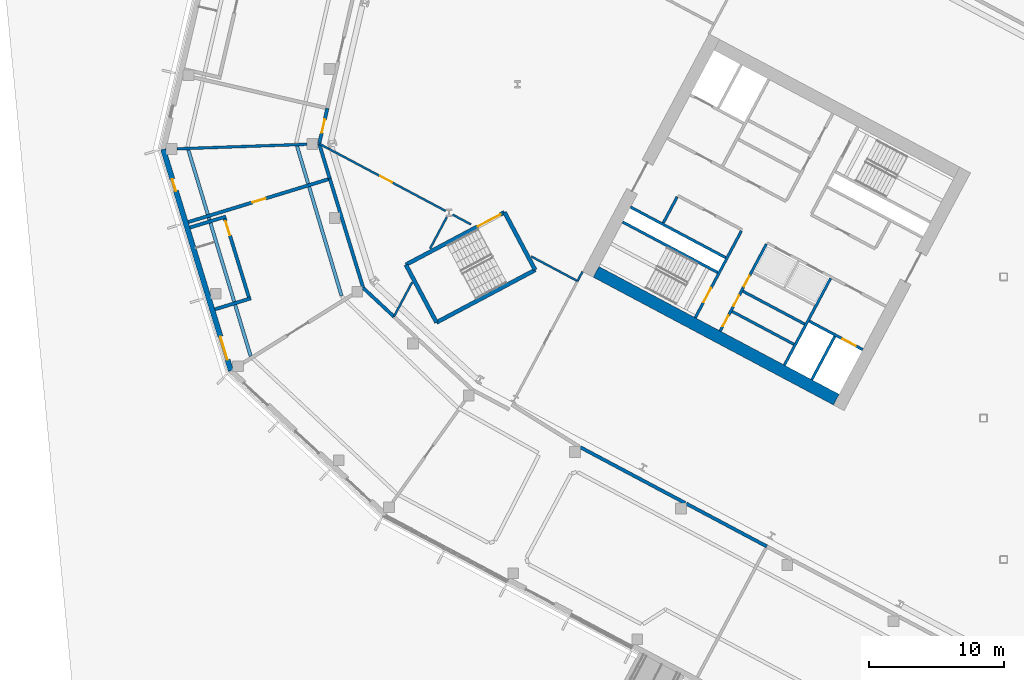
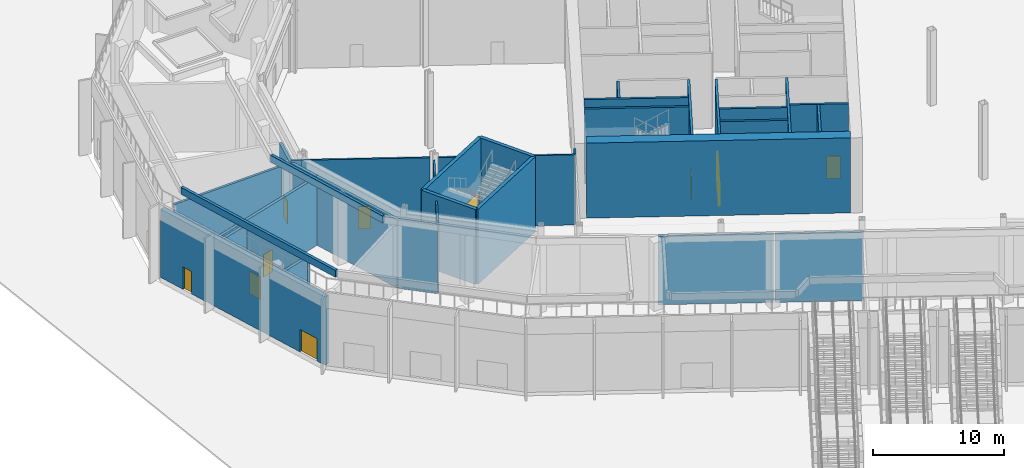
# One storey, part 16 of 57: 36 walls, 12 doors, 12 openings.
"""IFC4 building model written with IfcOpenShell, lengths in metres."""

import ifcopenshell
import ifcopenshell.guid

model = None  # the IFC model being written
_history = None  # IfcOwnerHistory: only IFC2X3 demands one
_inside = {}  # id of a spatial element -> (the spatial element, [elements in it])
_under = {}  # id of a project, library or spatial element -> (it, [spatial elements below it])
_declared = {}  # id of a project -> (the project, [libraries it declares])
_typed = {}  # id of a type object -> (the type object, [elements of that type])
_made_of = {}  # id of a material, layer set ... -> (it, [elements and type objects made of it])


def new_model(schema):
    """Start an empty IFC model of exactly this schema.

    Asked for "IFC4X3", IfcOpenShell would pick the latest addendum, in which some entities
    have other attributes; the version numbers below select the first issue.
    IFC2X3 requires an IfcOwnerHistory on every rooted entity: one is made here for all.
    """
    global model, _history
    if schema == "IFC4X3":
        model = ifcopenshell.file(schema_version=(4, 3, 0, 0))
    else:
        model = ifcopenshell.file(schema=schema)
    _inside.clear()
    _under.clear()
    _declared.clear()
    _typed.clear()
    _made_of.clear()
    _history = None
    if model.schema == "IFC2X3":
        org = make("IfcOrganization", Name="unknown")
        user = make(
            "IfcPersonAndOrganization",
            ThePerson=make("IfcPerson", FamilyName="unknown"),
            TheOrganization=org,
        )
        app = make(
            "IfcApplication",
            ApplicationDeveloper=org,
            Version="unknown",
            ApplicationFullName="unknown",
            ApplicationIdentifier="unknown",
        )
        _history = make(
            "IfcOwnerHistory",
            OwningUser=user,
            OwningApplication=app,
            ChangeAction="ADDED",
            CreationDate=0,
        )
    return model


def make(cls, **values):
    """One entity of the class cls with the attributes given. An attribute that is None is left unset."""
    return model.create_entity(
        cls, **{name: value for name, value in values.items() if value is not None}
    )


def rooted(cls, **values):
    """An entity with a GlobalId (a new one), such as an element, a storey or a relation."""
    return make(cls, GlobalId=ifcopenshell.guid.new(), OwnerHistory=_history, **values)


def si_unit(unit_type, name, prefix=None):
    """IfcSIUnit, for example si_unit("LENGTHUNIT", "METRE", prefix="MILLI")."""
    return make("IfcSIUnit", UnitType=unit_type, Prefix=prefix, Name=name)


def assignment(units):
    """IfcUnitAssignment: the units of a project."""
    return None if units is None else make("IfcUnitAssignment", Units=units)


def point(xyz):
    """IfcCartesianPoint."""
    return None if xyz is None else make("IfcCartesianPoint", Coordinates=xyz)


def direction(xyz):
    """IfcDirection."""
    return None if xyz is None else make("IfcDirection", DirectionRatios=xyz)


def frame(location, z_axis=None, x_axis=None):
    """IfcAxis2Placement3D, a coordinate frame: its origin and axes. An axis left out is left unset."""
    return make(
        "IfcAxis2Placement3D",
        Location=point(location),
        Axis=direction(z_axis),
        RefDirection=direction(x_axis),
    )


def frame_2d(location, x_axis=None):
    """IfcAxis2Placement2D, a coordinate frame in the plane: its origin and x axis."""
    return make(
        "IfcAxis2Placement2D", Location=point(location), RefDirection=direction(x_axis)
    )


def origin():
    """The frame at (0, 0, 0) with its axes left unset."""
    return frame((0.0, 0.0, 0.0))


def place(relative_to, where):
    """IfcLocalPlacement: puts the frame where relative to a parent placement (None: the world)."""
    return make(
        "IfcLocalPlacement", PlacementRelTo=relative_to, RelativePlacement=where
    )


def context(
    kind, dimensions, precision=None, world=None, true_north=None, identifier=None
):
    """IfcGeometricRepresentationContext, for example the 3D "Model" context."""
    return make(
        "IfcGeometricRepresentationContext",
        ContextIdentifier=identifier,
        ContextType=kind,
        CoordinateSpaceDimension=dimensions,
        Precision=precision,
        WorldCoordinateSystem=world,
        TrueNorth=true_north,
    )


def subcontext(parent, identifier, kind, view, scale=None):
    """IfcGeometricRepresentationSubContext, for example "Body" below "Model"."""
    return make(
        "IfcGeometricRepresentationSubContext",
        ContextIdentifier=identifier,
        ContextType=kind,
        ParentContext=parent,
        TargetScale=scale,
        TargetView=view,
    )


def project(units=None, contexts=None):
    """IfcProject with its units and contexts."""
    return rooted(
        "IfcProject",
        Name="project",
        RepresentationContexts=contexts,
        UnitsInContext=assignment(units),
    )


def spatial(cls, under=None, at=None, **own):
    """A site, building, storey or space (cls), placed at a placement, below another one or the project."""
    s = rooted(cls, ObjectPlacement=at, **own)
    if under is not None:
        _under.setdefault(under.id(), (under, []))[1].append(s)
    return s


def profile(cls, at=None, kind="AREA", **sizes):
    """A parametric profile (cls). Its sizes go by their IFC names, for example OverallWidth=200.0."""
    return make(cls, ProfileType=kind, Position=at, **sizes)


def rectangle(**sizes):
    """IfcRectangleProfileDef."""
    return profile("IfcRectangleProfileDef", **sizes)


def extrude(swept, where, along, depth):
    """IfcExtrudedAreaSolid: the profile swept, set in the frame where, extruded along a direction by depth."""
    return make(
        "IfcExtrudedAreaSolid",
        SweptArea=swept,
        Position=where,
        ExtrudedDirection=direction(along),
        Depth=depth,
    )


def shape(context_of_items, identifier, shape_type, items):
    """IfcShapeRepresentation: the items that make up one representation, for example the "Body"."""
    return make(
        "IfcShapeRepresentation",
        ContextOfItems=context_of_items,
        RepresentationIdentifier=identifier,
        RepresentationType=shape_type,
        Items=items,
    )


def material(Name=None, Category=None):
    """IfcMaterial."""
    return make("IfcMaterial", Name=Name, Category=Category)


def layer(
    of_material, thickness, ventilated=None, Name=None, Category=None, Priority=None
):
    """IfcMaterialLayer: one layer of a wall or slab, of a material (None: an air gap)."""
    return make(
        "IfcMaterialLayer",
        Material=of_material,
        LayerThickness=thickness,
        IsVentilated=ventilated,
        Name=Name,
        Category=Category,
        Priority=Priority,
    )


def layer_set(layers, Name=None):
    """IfcMaterialLayerSet."""
    return make("IfcMaterialLayerSet", MaterialLayers=layers, LayerSetName=Name)


def made_of(thing, what):
    """Note that an element or type object is made of a material, layer set ...; save() writes the relation."""
    if what is not None:
        _made_of.setdefault(what.id(), (what, []))[1].append(thing)
    return thing


def type_object(cls, material=None, **own):
    """A type object (cls), such as IfcWallType, which elements share."""
    return made_of(rooted(cls, **own), material)


def element(
    cls,
    number,
    at=None,
    inside=None,
    cuts=None,
    type_object=None,
    material=None,
    context=None,
    identifier="Body",
    shape_type=None,
    held_by="IfcProductDefinitionShape",
    body=None,
    shapes=None,
    **own,
):
    """One element of the class cls, such as IfcWall. Its Tag is "e" and its number.

    at: its placement. inside: the storey or other place that contains it. cuts: it is an
    opening in that element (IfcRelVoidsElement). A single representation is given by context,
    identifier, shape_type and body (its items); several are given by shapes. held_by: the class
    of the entity that holds the representations. save() writes the other relations.
    """
    e = rooted(cls, Tag="e%d" % number, ObjectPlacement=at, **own)
    if body is not None:
        shapes = [shape(context, identifier, shape_type, body)]
    if shapes is not None:
        e.Representation = make(held_by, Representations=shapes)
    if inside is not None:
        _inside.setdefault(inside.id(), (inside, []))[1].append(e)
    if cuts is not None:
        rooted(
            "IfcRelVoidsElement", RelatingBuildingElement=cuts, RelatedOpeningElement=e
        )
    if type_object is not None:
        _typed.setdefault(type_object.id(), (type_object, []))[1].append(e)
    return made_of(e, material)


def fill(opening, filler):
    """IfcRelFillsElement: the door or window that sits in an opening."""
    return rooted(
        "IfcRelFillsElement",
        RelatingOpeningElement=opening,
        RelatedBuildingElement=filler,
    )


def aggregate(whole, parts):
    """IfcRelAggregates: a whole, such as a stair, and the parts it consists of."""
    return rooted("IfcRelAggregates", RelatingObject=whole, RelatedObjects=parts)


def save(model, path):
    """Write the relations noted so far, then the file.

    IfcRelAggregates (storeys below a building ...), IfcRelContainedInSpatialStructure (elements
    in a storey), IfcRelDefinesByType, IfcRelAssociatesMaterial and IfcRelDeclares: one each for
    every whole, place, type object, material and project.
    """
    for whole, parts in _under.values():
        aggregate(whole, parts)
    for where, things in _inside.values():
        rooted(
            "IfcRelContainedInSpatialStructure",
            RelatedElements=things,
            RelatingStructure=where,
        )
    for kind, things in _typed.values():
        rooted("IfcRelDefinesByType", RelatedObjects=things, RelatingType=kind)
    for what, things in _made_of.values():
        rooted("IfcRelAssociatesMaterial", RelatedObjects=things, RelatingMaterial=what)
    for by, libraries in _declared.values():
        rooted("IfcRelDeclares", RelatingContext=by, RelatedDefinitions=libraries)
    model.write(path)


model = new_model("IFC4")

# Units and contexts
model_context = context("Model", 3, precision=1e-05, world=origin(), true_north=direction((0.0, 1.0)))
body_context = subcontext(model_context, "Body", "Model", "MODEL_VIEW")
ifc_project = project(units=[si_unit("LENGTHUNIT", "METRE"), si_unit("AREAUNIT", "SQUARE_METRE"), si_unit("VOLUMEUNIT", "CUBIC_METRE"), si_unit("PLANEANGLEUNIT", "RADIAN"), si_unit("MASSUNIT", "GRAM", prefix="KILO")], contexts=[model_context])

# Site, building, storey
site_placement = place(None, origin())
site = spatial("IfcSite", under=ifc_project, at=site_placement, CompositionType="ELEMENT")
building_placement = place(site_placement, origin())
building = spatial("IfcBuilding", under=site, at=building_placement, Name="Cormorant Relay Tower", CompositionType="ELEMENT")
storey_placement = place(building_placement, origin())
storey = spatial("IfcBuildingStorey", under=building, at=storey_placement, Name="L00", CompositionType="ELEMENT", Elevation=0.0)

# Wall, openings, doors
ifc_material_1 = material(Name="Concrete 40 MPa with granite cladding", Category="masonry")
ifc_layer_1 = layer(ifc_material_1, 0.39990234375)
ifc_layer_set_1 = layer_set([ifc_layer_1], Name="Base facade wall 400")
wall_type_1 = type_object("IfcWallType", Name="Base facade wall 400", PredefinedType="SOLIDWALL", material=ifc_layer_set_1)
wall_1_placement = place(storey_placement, frame((-72.9287109375, 19.967041015625, 0.0), z_axis=(0.0, 0.0, 1.0), x_axis=(0.292376176059, -0.956303388927, 0.0)))
wall_1 = element("IfcWall", 1, at=wall_1_placement, inside=storey, type_object=wall_type_1, Name="Base facade wall", PredefinedType="SOLIDWALL", context=body_context, shape_type="SweptSolid", body=[
    extrude(rectangle(XDim=17.19384765625, YDim=0.39990234375, at=frame_2d((8.596923828125, 0.0))), origin(), (0.0, 0.0, 1.0), 6.3701171875),
])
opening_1_placement = place(wall_1_placement, frame((2.330078125, 0.0, 0.0)))
opening_1 = element("IfcOpeningElement", 2, at=opening_1_placement, cuts=wall_1, Name="Opening PD4-011", PredefinedType="OPENING", context=body_context, shape_type="SweptSolid", body=[
    extrude(rectangle(XDim=0.89990234375, YDim=2.10009765625, at=frame_2d((0.449951171875, 1.050048828125))), frame((0.0, 0.2099609375, 0.0), z_axis=(0.0, -1.0, 0.0), x_axis=(1.0, 0.0, 0.0)), (0.0, 0.0, 1.0), 0.419921875),
])
opening_2_placement = place(wall_1_placement, frame((14.547607421875, 0.0, 0.0)))
opening_2 = element("IfcOpeningElement", 3, at=opening_2_placement, cuts=wall_1, Name="Opening PD3-014", PredefinedType="OPENING", context=body_context, shape_type="SweptSolid", body=[
    extrude(rectangle(XDim=1.800048828125, YDim=2.10009765625, at=frame_2d((0.89990234375, 1.050048828125))), frame((0.0, 0.2099609375, 0.0), z_axis=(0.0, -1.0, 0.0), x_axis=(1.0, 0.0, 0.0)), (0.0, 0.0, 1.0), 0.419921875),
])
ifc_material_2 = material(Name="Steel door leaf", Category="steel")
door_type_1 = type_object("IfcDoorType", Name="Door double 1800", OperationType="DOUBLE_DOOR_SINGLE_SWING", PredefinedType="DOOR", material=ifc_material_2)
door_1_placement = place(opening_2_placement, frame((1.800048828125, 0.0, 0.0), z_axis=(0.0, 0.0, 1.0), x_axis=(-1.0, 0.0, 0.0)))
door_1 = element("IfcDoor", 4, at=door_1_placement, inside=storey, type_object=door_type_1, Name="Exit door", OperationType="DOUBLE_DOOR_SINGLE_SWING", OverallHeight=2.10009765625, OverallWidth=1.800048828125, PredefinedType="DOOR", context=body_context, shape_type="SweptSolid", body=[
    extrude(rectangle(XDim=1.800048828125, YDim=2.10009765625, at=frame_2d((0.89990234375, 1.050048828125))), frame((0.0, 0.02490234375, 0.0), z_axis=(0.0, -1.0, 0.0), x_axis=(1.0, 0.0, 0.0)), (0.0, 0.0, 1.0), 0.050048828125),
])
fill(opening_2, door_1)
ifc_material_3 = material(Name="Steel door leaf", Category="steel")
door_type_2 = type_object("IfcDoorType", Name="Door service 900", OperationType="SINGLE_SWING_LEFT", PredefinedType="DOOR", material=ifc_material_3)
door_2_placement = place(opening_1_placement, frame((0.89990234375, 0.0, 0.0), z_axis=(0.0, 0.0, 1.0), x_axis=(-1.0, 0.0, 0.0)))
door_2 = element("IfcDoor", 5, at=door_2_placement, inside=storey, type_object=door_type_2, Name="Service door", OperationType="SINGLE_SWING_LEFT", OverallHeight=2.10009765625, OverallWidth=0.89990234375, PredefinedType="DOOR", context=body_context, shape_type="SweptSolid", body=[
    extrude(rectangle(XDim=0.89990234375, YDim=2.10009765625, at=frame_2d((0.449951171875, 1.050048828125))), frame((0.0, 0.02490234375, 0.0), z_axis=(0.0, -1.0, 0.0), x_axis=(1.0, 0.0, 0.0)), (0.0, 0.0, 1.0), 0.050048828125),
])
fill(opening_1, door_2)

# Walls
ifc_material_4 = material(Name="Concrete 40 MPa", Category="concrete")
ifc_layer_2 = layer(ifc_material_4, 0.199951171875)
ifc_layer_set_2 = layer_set([ifc_layer_2], Name="Core internal wall 200")
wall_type_2 = type_object("IfcWallType", Name="Core internal wall 200", PredefinedType="SOLIDWALL", material=ifc_layer_set_2)
for number, where, z_axis, x_axis, name in (
    (6, (-25.279541015625, 6.985595703125, 0.0), (0.0, 0.0, 1.0), (-0.882934506056, 0.469496174655, 0.0), "L00 core A shaft and room wall"),
    (7, (-26.07763671875, 5.484619140625, 0.0), (0.0, 0.0, 1.0), (-0.882934506056, 0.469496174655, 0.0), "L00 core A shaft and room wall"),
):
    element("IfcWall", number, at=place(storey_placement, frame(where, z_axis=z_axis, x_axis=x_axis)), inside=storey, type_object=wall_type_2, Name=name, PredefinedType="SOLIDWALL", context=body_context, shape_type="SweptSolid", body=[
        extrude(rectangle(XDim=5.199951171875, YDim=0.199951171875, at=frame_2d((2.60009765625, 0.0))), origin(), (0.0, 0.0, 1.0), 7.0),
    ])
ifc_material_5 = material(Name="Concrete 50 MPa", Category="concrete")
ifc_layer_3 = layer(ifc_material_5, 0.199951171875)
ifc_layer_set_3 = layer_set([ifc_layer_3], Name="Core shaft wall 200")
wall_type_3 = type_object("IfcWallType", Name="Core shaft wall 200", PredefinedType="SHEAR", material=ifc_layer_set_3)
wall_2_placement = place(storey_placement, frame((-23.04296875, 6.07958984375, 0.0), z_axis=(0.0, 0.0, 1.0), x_axis=(-0.469494272526, -0.882935517501, 0.0)))
element("IfcWall", 8, at=wall_2_placement, inside=storey, type_object=wall_type_3, Name="L00 core A shaft wall", PredefinedType="SHEAR", context=body_context, shape_type="SweptSolid", body=[
    extrude(rectangle(XDim=3.64990234375, YDim=0.199951171875, at=frame_2d((1.824951171875, 0.0))), origin(), (0.0, 0.0, 1.0), 7.0),
])
wall_3_placement = place(storey_placement, frame((-23.360107421875, 10.38232421875, 0.0), z_axis=(0.0, 0.0, 1.0), x_axis=(-0.469480409012, -0.88294288918, 0.0)))
element("IfcWall", 9, at=wall_3_placement, inside=storey, type_object=wall_type_3, Name="L00 core A shaft wall", PredefinedType="SHEAR", context=body_context, shape_type="SweptSolid", body=[
    extrude(rectangle(XDim=7.300048828125, YDim=0.199951171875, at=frame_2d((3.64990234375, 0.0))), origin(), (0.0, 0.0, 1.0), 7.0),
])

# Wall, openings, doors
wall_4_placement = place(storey_placement, frame((-28.128173828125, 12.91748046875, 0.0), z_axis=(0.0, 0.0, 1.0), x_axis=(-0.469454336211, -0.882956752176, 0.0)))
wall_4 = element("IfcWall", 10, at=wall_4_placement, inside=storey, type_object=wall_type_3, Name="L00 core A shaft wall", PredefinedType="SHEAR", context=body_context, shape_type="SweptSolid", body=[
    extrude(rectangle(XDim=7.300048828125, YDim=0.199951171875, at=frame_2d((3.64990234375, 0.0))), origin(), (0.0, 0.0, 1.0), 7.0),
])
opening_3_placement = place(wall_4_placement, frame((2.64990234375, 0.0, 0.0)))
opening_3 = element("IfcOpeningElement", 11, at=opening_3_placement, cuts=wall_4, Name="Opening CDD-038", PredefinedType="OPENING", context=body_context, shape_type="SweptSolid", body=[
    extrude(rectangle(XDim=0.89990234375, YDim=2.10009765625, at=frame_2d((0.449951171875, 1.050048828125))), frame((0.0, 0.10986328125, 0.0), z_axis=(0.0, -1.0, 0.0), x_axis=(1.0, 0.0, 0.0)), (0.0, 0.0, 1.0), 0.219970703125),
])
opening_4_placement = place(wall_4_placement, frame((4.300048828125, 0.0, 0.0)))
opening_4 = element("IfcOpeningElement", 12, at=opening_4_placement, cuts=wall_4, Name="Opening CDD-039", PredefinedType="OPENING", context=body_context, shape_type="SweptSolid", body=[
    extrude(rectangle(XDim=0.89990234375, YDim=2.10009765625, at=frame_2d((0.449951171875, 1.050048828125))), frame((0.0, 0.10986328125, 0.0), z_axis=(0.0, -1.0, 0.0), x_axis=(1.0, 0.0, 0.0)), (0.0, 0.0, 1.0), 0.219970703125),
])
opening_5_placement = place(wall_4_placement, frame((6.0, 0.0, 0.0)))
opening_5 = element("IfcOpeningElement", 13, at=opening_5_placement, cuts=wall_4, Name="Opening CDD-040", PredefinedType="OPENING", context=body_context, shape_type="SweptSolid", body=[
    extrude(rectangle(XDim=0.89990234375, YDim=2.10009765625, at=frame_2d((0.449951171875, 1.050048828125))), frame((0.0, 0.10986328125, 0.0), z_axis=(0.0, -1.0, 0.0), x_axis=(1.0, 0.0, 0.0)), (0.0, 0.0, 1.0), 0.219970703125),
])
ifc_material_6 = material(Name="Steel fire door", Category="steel")
door_type_3 = type_object("IfcDoorType", Name="Core room door 900x2100", OperationType="SINGLE_SWING_LEFT", PredefinedType="DOOR", material=ifc_material_6)
door_3_placement = place(opening_3_placement, origin())
door_3 = element("IfcDoor", 14, at=door_3_placement, inside=storey, type_object=door_type_3, Name="Core room door 900x2100", OperationType="SINGLE_SWING_LEFT", OverallHeight=2.10009765625, OverallWidth=0.89990234375, PredefinedType="DOOR", context=body_context, shape_type="SweptSolid", body=[
    extrude(rectangle(XDim=0.89990234375, YDim=2.10009765625, at=frame_2d((0.449951171875, 1.050048828125))), frame((0.0, 0.02490234375, 0.0), z_axis=(0.0, -1.0, 0.0), x_axis=(1.0, 0.0, 0.0)), (0.0, 0.0, 1.0), 0.050048828125),
])
fill(opening_3, door_3)
door_4_placement = place(opening_4_placement, origin())
door_4 = element("IfcDoor", 15, at=door_4_placement, inside=storey, type_object=door_type_3, Name="Core room door 900x2100", OperationType="SINGLE_SWING_LEFT", OverallHeight=2.10009765625, OverallWidth=0.89990234375, PredefinedType="DOOR", context=body_context, shape_type="SweptSolid", body=[
    extrude(rectangle(XDim=0.89990234375, YDim=2.10009765625, at=frame_2d((0.449951171875, 1.050048828125))), frame((0.0, 0.02490234375, 0.0), z_axis=(0.0, -1.0, 0.0), x_axis=(1.0, 0.0, 0.0)), (0.0, 0.0, 1.0), 0.050048828125),
])
fill(opening_4, door_4)
door_5_placement = place(opening_5_placement, origin())
door_5 = element("IfcDoor", 16, at=door_5_placement, inside=storey, type_object=door_type_3, Name="Core room door 900x2100", OperationType="SINGLE_SWING_LEFT", OverallHeight=2.10009765625, OverallWidth=0.89990234375, PredefinedType="DOOR", context=body_context, shape_type="SweptSolid", body=[
    extrude(rectangle(XDim=0.89990234375, YDim=2.10009765625, at=frame_2d((0.449951171875, 1.050048828125))), frame((0.0, 0.02490234375, 0.0), z_axis=(0.0, -1.0, 0.0), x_axis=(1.0, 0.0, 0.0)), (0.0, 0.0, 1.0), 0.050048828125),
])
fill(opening_5, door_5)

# Wall, opening, door
wall_5_placement = place(storey_placement, frame((-29.982421875, 13.9033203125, 0.0), z_axis=(0.0, 0.0, 1.0), x_axis=(-0.469454336211, -0.882956752176, 0.0)))
wall_5 = element("IfcWall", 17, at=wall_5_placement, inside=storey, type_object=wall_type_3, Name="L00 core A shaft wall", PredefinedType="SHEAR", context=body_context, shape_type="SweptSolid", body=[
    extrude(rectangle(XDim=7.300048828125, YDim=0.199951171875, at=frame_2d((3.64990234375, 0.0))), origin(), (0.0, 0.0, 1.0), 7.0),
])
opening_6_placement = place(wall_5_placement, frame((4.800048828125, 0.0, 0.0)))
opening_6 = element("IfcOpeningElement", 18, at=opening_6_placement, cuts=wall_5, Name="Opening CDB-008", PredefinedType="OPENING", context=body_context, shape_type="SweptSolid", body=[
    extrude(rectangle(XDim=1.199951171875, YDim=2.10009765625, at=frame_2d((0.60009765625, 1.050048828125))), frame((0.0, 0.10986328125, 0.0), z_axis=(0.0, -1.0, 0.0), x_axis=(1.0, 0.0, 0.0)), (0.0, 0.0, 1.0), 0.219970703125),
])
ifc_material_7 = material(Name="Steel fire door", Category="steel")
door_type_4 = type_object("IfcDoorType", Name="Core stair door 1200x2100", OperationType="SINGLE_SWING_LEFT", PredefinedType="DOOR", material=ifc_material_7)
door_6_placement = place(opening_6_placement, frame((1.199951171875, 0.0, 0.0), z_axis=(0.0, 0.0, 1.0), x_axis=(-1.0, 0.0, 0.0)))
door_6 = element("IfcDoor", 19, at=door_6_placement, inside=storey, type_object=door_type_4, Name="Core stair door 1200x2100", OperationType="SINGLE_SWING_RIGHT", OverallHeight=2.10009765625, OverallWidth=1.199951171875, PredefinedType="DOOR", context=body_context, shape_type="SweptSolid", body=[
    extrude(rectangle(XDim=1.199951171875, YDim=2.10009765625, at=frame_2d((0.60009765625, 1.050048828125))), frame((0.0, 0.02490234375, 0.0), z_axis=(0.0, -1.0, 0.0), x_axis=(1.0, 0.0, 0.0)), (0.0, 0.0, 1.0), 0.050048828125),
])
fill(opening_6, door_6)

# Walls
wall_6_placement = place(storey_placement, frame((-34.750244140625, 16.4384765625, 0.0), z_axis=(0.0, 0.0, 1.0), x_axis=(-0.469401318492, -0.882984938828, 0.0)))
element("IfcWall", 20, at=wall_6_placement, inside=storey, type_object=wall_type_3, Name="L00 core A shaft wall", PredefinedType="SHEAR", context=body_context, shape_type="SweptSolid", body=[
    extrude(rectangle(XDim=2.199951171875, YDim=0.199951171875, at=frame_2d((1.10009765625, 0.0))), origin(), (0.0, 0.0, 1.0), 7.0),
])
wall_7_placement = place(storey_placement, frame((-31.150390625, 11.91943359375, 0.0), z_axis=(0.0, 0.0, 1.0), x_axis=(-0.882940221191, 0.469485426614, 0.0)))
element("IfcWall", 21, at=wall_7_placement, inside=storey, type_object=wall_type_3, Name="L00 core A shaft wall", PredefinedType="SHEAR", context=body_context, shape_type="SweptSolid", body=[
    extrude(rectangle(XDim=8.0, YDim=0.199951171875, at=frame_2d((4.0, 0.0))), origin(), (0.0, 0.0, 1.0), 7.0),
])

# Wall, opening, door
wall_8_placement = place(storey_placement, frame((-20.96533203125, 5.088134765625, 0.0), z_axis=(0.0, 0.0, 1.0), x_axis=(-0.882925986334, 0.469512196493, 0.0)))
wall_8 = element("IfcWall", 22, at=wall_8_placement, inside=storey, type_object=wall_type_3, Name="L00 core A shaft wall", PredefinedType="SHEAR", context=body_context, shape_type="SweptSolid", body=[
    extrude(rectangle(XDim=4.5, YDim=0.199951171875, at=frame_2d((2.25, 0.0))), origin(), (0.0, 0.0, 1.0), 7.0),
])
opening_7_placement = place(wall_8_placement, frame((0.60009765625, 0.0, 0.0)))
opening_7 = element("IfcOpeningElement", 23, at=opening_7_placement, cuts=wall_8, Name="Opening LD1-003", PredefinedType="OPENING", context=body_context, shape_type="SweptSolid", body=[
    extrude(rectangle(XDim=1.10009765625, YDim=2.10009765625, at=frame_2d((0.550048828125, 1.050048828125))), frame((0.0, 0.10986328125, 0.0), z_axis=(0.0, -1.0, 0.0), x_axis=(1.0, 0.0, 0.0)), (0.0, 0.0, 1.0), 0.219970703125),
])
ifc_material_8 = material(Name="Stainless steel 316", Category="steel")
door_type_5 = type_object("IfcDoorType", Name="Lift landing door 1100x2100", OperationType="DOUBLE_DOOR_SLIDING", PredefinedType="DOOR", material=ifc_material_8)
door_7_placement = place(opening_7_placement, origin())
door_7 = element("IfcDoor", 24, at=door_7_placement, inside=storey, type_object=door_type_5, Name="FF1 landing door", OperationType="DOUBLE_DOOR_SLIDING", OverallHeight=2.10009765625, OverallWidth=1.10009765625, PredefinedType="DOOR", context=body_context, shape_type="SweptSolid", body=[
    extrude(rectangle(XDim=1.10009765625, YDim=2.10009765625, at=frame_2d((0.550048828125, 1.050048828125))), frame((0.0, 0.02490234375, 0.0), z_axis=(0.0, -1.0, 0.0), x_axis=(1.0, 0.0, 0.0)), (0.0, 0.0, 1.0), 0.050048828125),
])
fill(opening_7, door_7)

# Walls
wall_9_placement = place(storey_placement, frame((-31.7373046875, 10.815673828125, 0.0), z_axis=(0.0, 0.0, 1.0), x_axis=(-0.882940221191, 0.469485426614, 0.0)))
element("IfcWall", 25, at=wall_9_placement, inside=storey, type_object=wall_type_3, Name="L00 core A shaft wall", PredefinedType="SHEAR", context=body_context, shape_type="SweptSolid", body=[
    extrude(rectangle(XDim=8.0, YDim=0.199951171875, at=frame_2d((4.0, 0.0))), origin(), (0.0, 0.0, 1.0), 7.0),
])
ifc_material_9 = material(Name="Concrete 70 MPa", Category="concrete")
ifc_layer_4 = layer(ifc_material_9, 0.89990234375)
ifc_layer_set_4 = layer_set([ifc_layer_4], Name="Core wall 900")
wall_type_4 = type_object("IfcWallType", Name="Core wall 900", PredefinedType="SHEAR", material=ifc_layer_set_4)
wall_10_placement = place(storey_placement, frame((-22.93701171875, 1.3798828125, 0.0), z_axis=(0.0, 0.0, 1.0), x_axis=(-0.88295276571, 0.46946183394, 0.0)))
element("IfcWall", 26, at=wall_10_placement, inside=storey, type_object=wall_type_4, Name="L00 core A wall", PredefinedType="SHEAR", context=body_context, shape_type="SweptSolid", body=[
    extrude(rectangle(XDim=20.199951171875, YDim=0.89990234375, at=frame_2d((10.10009765625, 0.0))), origin(), (0.0, 0.0, 1.0), 7.0),
])

# Wall, opening, door
ifc_material_10 = material(Name="Concrete masonry 20 MPa", Category="masonry")
ifc_layer_5 = layer(ifc_material_10, 0.25)
ifc_layer_set_5 = layer_set([ifc_layer_5], Name="Fire separation wall 250")
wall_type_5 = type_object("IfcWallType", Name="Fire separation wall 250", PredefinedType="SOLIDWALL", material=ifc_layer_set_5)
wall_11_placement = place(storey_placement, frame((-61.338134765625, 20.38232421875, 0.0), z_axis=(0.0, 0.0, 1.0), x_axis=(0.224998426256, 0.974359126905, 0.0)))
wall_11 = element("IfcWall", 27, at=wall_11_placement, inside=storey, type_object=wall_type_5, Name="Partition", PredefinedType="SOLIDWALL", context=body_context, shape_type="SweptSolid", body=[
    extrude(rectangle(XDim=2.6953125, YDim=0.25, at=frame_2d((1.34765625, 0.0))), origin(), (0.0, 0.0, 1.0), 6.3701171875),
])
opening_8_placement = place(wall_11_placement, frame((0.847900390625, 0.0, 0.0)))
opening_8 = element("IfcOpeningElement", 28, at=opening_8_placement, cuts=wall_11, Name="Opening PD1-070", PredefinedType="OPENING", context=body_context, shape_type="SweptSolid", body=[
    extrude(rectangle(XDim=1.0, YDim=2.10009765625, at=frame_2d((0.5, 1.050048828125))), frame((0.0, 0.135009765625, 0.0), z_axis=(0.0, -1.0, 0.0), x_axis=(1.0, 0.0, 0.0)), (0.0, 0.0, 1.0), 0.27001953125),
])
ifc_material_11 = material(Name="Steel door leaf", Category="steel")
door_type_6 = type_object("IfcDoorType", Name="Door single 1000", OperationType="SINGLE_SWING_LEFT", PredefinedType="DOOR", material=ifc_material_11)
door_8_placement = place(opening_8_placement, origin())
door_8 = element("IfcDoor", 29, at=door_8_placement, inside=storey, type_object=door_type_6, Name="Door", OperationType="SINGLE_SWING_RIGHT", OverallHeight=2.10009765625, OverallWidth=1.0, PredefinedType="DOOR", context=body_context, shape_type="SweptSolid", body=[
    extrude(rectangle(XDim=1.0, YDim=2.10009765625, at=frame_2d((0.5, 1.050048828125))), frame((0.0, 0.02490234375, 0.0), z_axis=(0.0, -1.0, 0.0), x_axis=(1.0, 0.0, 0.0)), (0.0, 0.0, 1.0), 0.050048828125),
])
fill(opening_8, door_8)

wall_12_placement = place(storey_placement, frame((-71.06689453125, 14.5615234375, 0.0), z_axis=(0.0, 0.0, 1.0), x_axis=(0.956304866869, 0.292371341965, 0.0)))
wall_12 = element("IfcWall", 30, at=wall_12_placement, inside=storey, type_object=wall_type_5, Name="Partition", PredefinedType="SOLIDWALL", context=body_context, shape_type="SweptSolid", body=[
    extrude(rectangle(XDim=11.0, YDim=0.25, at=frame_2d((5.5, 0.0))), origin(), (0.0, 0.0, 1.0), 6.3701171875),
])
opening_9_placement = place(wall_12_placement, frame((5.0, 0.0, 0.0)))
opening_9 = element("IfcOpeningElement", 31, at=opening_9_placement, cuts=wall_12, Name="Opening PD1-071", PredefinedType="OPENING", context=body_context, shape_type="SweptSolid", body=[
    extrude(rectangle(XDim=1.0, YDim=2.10009765625, at=frame_2d((0.5, 1.050048828125))), frame((0.0, 0.135009765625, 0.0), z_axis=(0.0, -1.0, 0.0), x_axis=(1.0, 0.0, 0.0)), (0.0, 0.0, 1.0), 0.27001953125),
])
door_9_placement = place(opening_9_placement, origin())
door_9 = element("IfcDoor", 32, at=door_9_placement, inside=storey, type_object=door_type_6, Name="Door", OperationType="SINGLE_SWING_RIGHT", OverallHeight=2.10009765625, OverallWidth=1.0, PredefinedType="DOOR", context=body_context, shape_type="SweptSolid", body=[
    extrude(rectangle(XDim=1.0, YDim=2.10009765625, at=frame_2d((0.5, 1.050048828125))), frame((0.0, 0.02490234375, 0.0), z_axis=(0.0, -1.0, 0.0), x_axis=(1.0, 0.0, 0.0)), (0.0, 0.0, 1.0), 0.050048828125),
])
fill(opening_9, door_9)

# Walls
wall_13_placement = place(storey_placement, frame((-60.54931640625, 17.783447265625, 0.0), z_axis=(0.0, 0.0, 1.0), x_axis=(-0.291634808329, 0.956529737421, 0.0)))
element("IfcWall", 33, at=wall_13_placement, inside=storey, type_object=wall_type_5, Name="Partition", PredefinedType="SOLIDWALL", context=body_context, shape_type="SweptSolid", body=[
    extrude(rectangle(XDim=2.709716796875, YDim=0.25, at=frame_2d((1.35498046875, 0.0))), origin(), (0.0, 0.0, 1.0), 6.3701171875),
])
wall_14_placement = place(storey_placement, frame((-58.0654296875, 9.666015625, 0.0), z_axis=(0.0, 0.0, 1.0), x_axis=(-0.292613894095, 0.956230677704, 0.0)))
element("IfcWall", 34, at=wall_14_placement, inside=storey, type_object=wall_type_5, Name="Partition", PredefinedType="SOLIDWALL", context=body_context, shape_type="SweptSolid", body=[
    extrude(rectangle(XDim=8.487060546875, YDim=0.25, at=frame_2d((4.24365234375, 0.0))), origin(), (0.0, 0.0, 1.0), 6.3701171875),
])
wall_15_placement = place(storey_placement, frame((-28.092041015625, -9.526611328125, 0.0), z_axis=(0.0, 0.0, 1.0), x_axis=(-0.882951650701, 0.469463931016, 0.0)))
element("IfcWall", 35, at=wall_15_placement, inside=storey, type_object=wall_type_5, Name="Partition", PredefinedType="SOLIDWALL", context=body_context, shape_type="SweptSolid", body=[
    extrude(rectangle(XDim=6.7646484375, YDim=0.25, at=frame_2d((3.38232421875, 0.0))), origin(), (0.0, 0.0, 1.0), 6.3701171875),
])
wall_16_placement = place(storey_placement, frame((-34.153076171875, -6.303955078125, 0.0), z_axis=(0.0, 0.0, 1.0), x_axis=(-0.882943838539, 0.469478623567, 0.0)))
element("IfcWall", 36, at=wall_16_placement, inside=storey, type_object=wall_type_5, Name="Partition", PredefinedType="SOLIDWALL", context=body_context, shape_type="SweptSolid", body=[
    extrude(rectangle(XDim=8.83056640625, YDim=0.25, at=frame_2d((4.415283203125, 0.0))), origin(), (0.0, 0.0, 1.0), 6.3701171875),
])
wall_17_placement = place(storey_placement, frame((-58.068359375, 9.668701171875, 0.0), z_axis=(0.0, 0.0, 1.0), x_axis=(0.731356961262, -0.681994864507, 0.0)))
element("IfcWall", 37, at=wall_17_placement, inside=storey, type_object=wall_type_5, Name="Partition", PredefinedType="SOLIDWALL", context=body_context, shape_type="SweptSolid", body=[
    extrude(rectangle(XDim=3.120849609375, YDim=0.25, at=frame_2d((1.560546875, 0.0))), origin(), (0.0, 0.0, 1.0), 6.3701171875),
])
for number, where, z_axis, x_axis, name in (
    (38, (-70.942626953125, 14.1552734375, 0.0), (0.0, 0.0, 1.0), (0.95631095062, 0.292351442144, 0.0), "Stair enclosure wall"),
    (39, (-69.086181640625, 8.08251953125, 0.0), (0.0, 0.0, 1.0), (0.956286571153, 0.29243117794, 0.0), "Stair enclosure wall"),
):
    element("IfcWall", number, at=place(storey_placement, frame(where, z_axis=z_axis, x_axis=x_axis)), inside=storey, type_object=wall_type_5, Name=name, PredefinedType="SOLIDWALL", context=body_context, shape_type="SweptSolid", body=[
        extrude(rectangle(XDim=2.800048828125, YDim=0.25, at=frame_2d((1.39990234375, 0.0))), origin(), (0.0, 0.0, 1.0), 6.3701171875),
    ])

# Wall, opening, door
wall_18_placement = place(storey_placement, frame((-68.421142578125, 15.056884765625, 0.0), z_axis=(0.0, 0.0, 1.0), x_axis=(0.292369833763, -0.956305327971, 0.0)))
wall_18 = element("IfcWall", 40, at=wall_18_placement, inside=storey, type_object=wall_type_5, Name="Stair enclosure wall", PredefinedType="SOLIDWALL", context=body_context, shape_type="SweptSolid", body=[
    extrude(rectangle(XDim=6.60009765625, YDim=0.25, at=frame_2d((3.300048828125, 0.0))), origin(), (0.0, 0.0, 1.0), 6.3701171875),
])
opening_10_placement = place(wall_18_placement, frame((0.449951171875, 0.0, 0.0)))
opening_10 = element("IfcOpeningElement", 41, at=opening_10_placement, cuts=wall_18, Name="Opening PD10-012", PredefinedType="OPENING", context=body_context, shape_type="SweptSolid", body=[
    extrude(rectangle(XDim=1.10009765625, YDim=2.10009765625, at=frame_2d((0.550048828125, 1.050048828125))), frame((0.0, 0.135009765625, 0.0), z_axis=(0.0, -1.0, 0.0), x_axis=(1.0, 0.0, 0.0)), (0.0, 0.0, 1.0), 0.27001953125),
])
ifc_material_12 = material(Name="Steel fire door leaf", Category="steel")
door_type_7 = type_object("IfcDoorType", Name="Door stair 1100", OperationType="SINGLE_SWING_LEFT", PredefinedType="DOOR", material=ifc_material_12)
door_10_placement = place(opening_10_placement, frame((1.10009765625, 0.0, 0.0), z_axis=(0.0, 0.0, 1.0), x_axis=(-1.0, 0.0, 0.0)))
door_10 = element("IfcDoor", 42, at=door_10_placement, inside=storey, type_object=door_type_7, Name="Stair door", OperationType="SINGLE_SWING_RIGHT", OverallHeight=2.10009765625, OverallWidth=1.10009765625, PredefinedType="DOOR", context=body_context, shape_type="SweptSolid", body=[
    extrude(rectangle(XDim=1.10009765625, YDim=2.10009765625, at=frame_2d((0.550048828125, 1.050048828125))), frame((0.0, 0.02490234375, 0.0), z_axis=(0.0, -1.0, 0.0), x_axis=(1.0, 0.0, 0.0)), (0.0, 0.0, 1.0), 0.050048828125),
])
fill(opening_10, door_10)

# Walls
ifc_material_13 = material(Name="Gypsum board on steel stud", Category="steel")
ifc_layer_6 = layer(ifc_material_13, 0.14990234375)
ifc_layer_set_6 = layer_set([ifc_layer_6], Name="Partition 150")
wall_type_6 = type_object("IfcWallType", Name="Partition 150", PredefinedType="PARTITIONING", material=ifc_layer_set_6)
wall_19_placement = place(storey_placement, frame((-51.427490234375, 15.11279296875, 0.0), z_axis=(0.0, 0.0, 1.0), x_axis=(0.882911356804, -0.469539706549, 0.0)))
element("IfcWall", 43, at=wall_19_placement, inside=storey, type_object=wall_type_6, Name="Partition", PredefinedType="PARTITIONING", context=body_context, shape_type="SweptSolid", body=[
    extrude(rectangle(XDim=1.54736328125, YDim=0.14990234375, at=frame_2d((0.773681640625, 0.0))), origin(), (0.0, 0.0, 1.0), 6.550048828125),
])
wall_20_placement = place(storey_placement, frame((-45.58935546875, 12.008544921875, 0.0), z_axis=(0.0, 0.0, 1.0), x_axis=(0.882939358107, -0.469487049773, 0.0)))
element("IfcWall", 44, at=wall_20_placement, inside=storey, type_object=wall_type_6, Name="Partition", PredefinedType="PARTITIONING", context=body_context, shape_type="SweptSolid", body=[
    extrude(rectangle(XDim=3.890869140625, YDim=0.14990234375, at=frame_2d((1.9453125, 0.0))), origin(), (0.0, 0.0, 1.0), 6.550048828125),
])
wall_21_placement = place(storey_placement, frame((-61.338134765625, 20.38232421875, 0.0), z_axis=(0.0, 0.0, 1.0), x_axis=(0.882969363327, -0.4694306162, 0.0)))
element("IfcWall", 45, at=wall_21_placement, inside=storey, type_object=wall_type_6, Name="Partition", PredefinedType="PARTITIONING", context=body_context, shape_type="SweptSolid", body=[
    extrude(rectangle(XDim=0.79931640625, YDim=0.14990234375, at=frame_2d((0.399658203125, 0.0))), origin(), (0.0, 0.0, 1.0), 6.550048828125),
])

# Wall, opening, door
wall_22_placement = place(storey_placement, frame((-60.63232421875, 20.007080078125, 0.0), z_axis=(0.0, 0.0, 1.0), x_axis=(0.882940733586, -0.469484462975, 0.0)))
wall_22 = element("IfcWall", 46, at=wall_22_placement, inside=storey, type_object=wall_type_6, Name="Partition", PredefinedType="PARTITIONING", context=body_context, shape_type="SweptSolid", body=[
    extrude(rectangle(XDim=9.830322265625, YDim=0.14990234375, at=frame_2d((4.9150390625, 0.0))), origin(), (0.0, 0.0, 1.0), 6.550048828125),
])
opening_11_placement = place(wall_22_placement, frame((4.3369140625, 0.0, 0.0)))
opening_11 = element("IfcOpeningElement", 47, at=opening_11_placement, cuts=wall_22, Name="Opening PD1-073", PredefinedType="OPENING", context=body_context, shape_type="SweptSolid", body=[
    extrude(rectangle(XDim=1.0, YDim=2.10009765625, at=frame_2d((0.5, 1.050048828125))), frame((0.0, 0.0849609375, 0.0), z_axis=(0.0, -1.0, 0.0), x_axis=(1.0, 0.0, 0.0)), (0.0, 0.0, 1.0), 0.169921875),
])
door_11_placement = place(opening_11_placement, frame((1.0, 0.0, 0.0), z_axis=(0.0, 0.0, 1.0), x_axis=(-1.0, 0.0, 0.0)))
door_11 = element("IfcDoor", 48, at=door_11_placement, inside=storey, type_object=door_type_6, Name="Door", OperationType="SINGLE_SWING_LEFT", OverallHeight=2.10009765625, OverallWidth=1.0, PredefinedType="DOOR", context=body_context, shape_type="SweptSolid", body=[
    extrude(rectangle(XDim=1.0, YDim=2.10009765625, at=frame_2d((0.5, 1.050048828125))), frame((0.0, 0.02490234375, 0.0), z_axis=(0.0, -1.0, 0.0), x_axis=(1.0, 0.0, 0.0)), (0.0, 0.0, 1.0), 0.050048828125),
])
fill(opening_11, door_11)

# Walls
wall_23_placement = place(storey_placement, frame((-42.1513671875, 10.187255859375, 0.0), z_axis=(0.0, 0.0, 1.0), x_axis=(0.469582372655, 0.882888665287, 0.0)))
element("IfcWall", 49, at=wall_23_placement, inside=storey, type_object=wall_type_6, Name="Partition", PredefinedType="PARTITIONING", context=body_context, shape_type="SweptSolid", body=[
    extrude(rectangle(XDim=0.7939453125, YDim=0.14990234375, at=frame_2d((0.39697265625, 0.0))), origin(), (0.0, 0.0, 1.0), 6.550048828125),
])
wall_24_placement = place(storey_placement, frame((-51.858154296875, 14.93603515625, 0.0), z_axis=(0.0, 0.0, 1.0), x_axis=(-0.469439381141, -0.882964703391, 0.0)))
element("IfcWall", 50, at=wall_24_placement, inside=storey, type_object=wall_type_6, Name="Partition", PredefinedType="PARTITIONING", context=body_context, shape_type="SweptSolid", body=[
    extrude(rectangle(XDim=2.6591796875, YDim=0.14990234375, at=frame_2d((1.32958984375, 0.0))), origin(), (0.0, 0.0, 1.0), 6.550048828125),
])
wall_25_placement = place(storey_placement, frame((-54.43115234375, 10.096923828125, 0.0), z_axis=(0.0, 0.0, 1.0), x_axis=(-0.46949257756, -0.882936418784, 0.0)))
element("IfcWall", 51, at=wall_25_placement, inside=storey, type_object=wall_type_6, Name="Partition", PredefinedType="PARTITIONING", context=body_context, shape_type="SweptSolid", body=[
    extrude(rectangle(XDim=2.892333984375, YDim=0.14990234375, at=frame_2d((1.4462890625, 0.0))), origin(), (0.0, 0.0, 1.0), 6.550048828125),
])
ifc_material_14 = material(Name="Concrete masonry 20 MPa", Category="masonry")
ifc_layer_7 = layer(ifc_material_14, 0.199951171875)
ifc_layer_set_7 = layer_set([ifc_layer_7], Name="Plant room wall 200")
wall_type_7 = type_object("IfcWallType", Name="Plant room wall 200", PredefinedType="PARTITIONING", material=ifc_layer_set_7)
wall_26_placement = place(storey_placement, frame((-71.907958984375, 20.002685546875, 0.0), z_axis=(0.0, 0.0, 1.0), x_axis=(0.999391072451, 0.034892467742, 0.0)))
element("IfcWall", 52, at=wall_26_placement, inside=storey, type_object=wall_type_7, Name="Partition", PredefinedType="PARTITIONING", context=body_context, shape_type="SweptSolid", body=[
    extrude(rectangle(XDim=9.65576171875, YDim=0.199951171875, at=frame_2d((4.827880859375, 0.0))), origin(), (0.0, 0.0, 1.0), 6.3701171875),
])
ifc_material_15 = material(Name="Concrete 40 MPa", Category="concrete")
ifc_layer_8 = layer(ifc_material_15, 0.25)
ifc_layer_set_8 = layer_set([ifc_layer_8], Name="Planter kerb 250")
wall_type_8 = type_object("IfcWallType", Name="Planter kerb 250", PredefinedType="STANDARD", material=ifc_layer_set_8)
wall_27_placement = place(storey_placement, frame((-66.427978515625, 4.604736328125, 7.0), z_axis=(0.0, 0.0, 1.0), x_axis=(-0.289217899345, 0.957263290166, 0.0)))
element("IfcWall", 53, at=wall_27_placement, inside=storey, type_object=wall_type_8, Name="PLANTER 06 kerb", PredefinedType="STANDARD", context=body_context, shape_type="SweptSolid", body=[
    extrude(rectangle(XDim=16.18896484375, YDim=0.25, at=frame_2d((8.094482421875, 0.0))), origin(), (0.0, 0.0, 1.0), 0.64990234375),
])
wall_28_placement = place(storey_placement, frame((-63.0390625, 20.385498046875, 7.0), z_axis=(0.0, 0.0, 1.0), x_axis=(0.284972326549, -0.9585357443, 0.0)))
element("IfcWall", 54, at=wall_28_placement, inside=storey, type_object=wall_type_8, Name="PLANTER 06 kerb", PredefinedType="STANDARD", context=body_context, shape_type="SweptSolid", body=[
    extrude(rectangle(XDim=11.78076171875, YDim=0.25, at=frame_2d((5.890380859375, 0.0))), origin(), (0.0, 0.0, 1.0), 0.64990234375),
])
ifc_material_16 = material(Name="Concrete 50 MPa", Category="concrete")
ifc_layer_9 = layer(ifc_material_16, 0.300048828125)
ifc_layer_set_9 = layer_set([ifc_layer_9], Name="Remote stair wall 300")
wall_type_9 = type_object("IfcWallType", Name="Remote stair wall 300", PredefinedType="SHEAR", material=ifc_layer_set_9)
wall_29_placement = place(storey_placement, frame((-47.57421875, 15.28955078125, 0.0), z_axis=(0.0, 0.0, 1.0), x_axis=(0.469443498566, -0.882962514297, 0.0)))
element("IfcWall", 55, at=wall_29_placement, inside=storey, type_object=wall_type_9, Name="L00 exit stair RP1 wall", PredefinedType="SHEAR", context=body_context, shape_type="SweptSolid", body=[
    extrude(rectangle(XDim=4.85009765625, YDim=0.300048828125, at=frame_2d((2.425048828125, 0.0))), origin(), (0.0, 0.0, 1.0), 7.0),
])
wall_30_placement = place(storey_placement, frame((-45.29736328125, 11.007080078125, 0.0), z_axis=(0.0, 0.0, 1.0), x_axis=(-0.882951519127, -0.469464178475, 0.0)))
element("IfcWall", 56, at=wall_30_placement, inside=storey, type_object=wall_type_9, Name="L00 exit stair RP1 wall", PredefinedType="SHEAR", context=body_context, shape_type="SweptSolid", body=[
    extrude(rectangle(XDim=8.2998046875, YDim=0.300048828125, at=frame_2d((4.14990234375, 0.0))), origin(), (0.0, 0.0, 1.0), 7.0),
])
wall_31_placement = place(storey_placement, frame((-52.625732421875, 7.110595703125, 0.0), z_axis=(0.0, 0.0, 1.0), x_axis=(-0.469464364128, 0.882951420416, 0.0)))
element("IfcWall", 57, at=wall_31_placement, inside=storey, type_object=wall_type_9, Name="L00 exit stair RP1 wall", PredefinedType="SHEAR", context=body_context, shape_type="SweptSolid", body=[
    extrude(rectangle(XDim=4.849853515625, YDim=0.300048828125, at=frame_2d((2.4248046875, 0.0))), origin(), (0.0, 0.0, 1.0), 7.0),
])

# Wall, opening, door
wall_32_placement = place(storey_placement, frame((-54.902587890625, 11.392822265625, 0.0), z_axis=(0.0, 0.0, 1.0), x_axis=(0.882939326045, 0.469487110071, 0.0)))
wall_32 = element("IfcWall", 58, at=wall_32_placement, inside=storey, type_object=wall_type_9, Name="L00 exit stair RP1 wall", PredefinedType="SHEAR", context=body_context, shape_type="SweptSolid", body=[
    extrude(rectangle(XDim=8.300048828125, YDim=0.300048828125, at=frame_2d((4.14990234375, 0.0))), origin(), (0.0, 0.0, 1.0), 7.0),
])
opening_12_placement = place(wall_32_placement, frame((6.050048828125, 0.0, 0.0)))
opening_12 = element("IfcOpeningElement", 59, at=opening_12_placement, cuts=wall_32, Name="Opening CDE-003", PredefinedType="OPENING", context=body_context, shape_type="SweptSolid", body=[
    extrude(rectangle(XDim=1.89990234375, YDim=2.10009765625, at=frame_2d((0.949951171875, 1.050048828125))), frame((0.0, 0.159912109375, 0.0), z_axis=(0.0, -1.0, 0.0), x_axis=(1.0, 0.0, 0.0)), (0.0, 0.0, 1.0), 0.320068359375),
])
ifc_material_17 = material(Name="Steel fire door", Category="steel")
door_type_8 = type_object("IfcDoorType", Name="Remote stair door 1900x2100", OperationType="DOUBLE_DOOR_SINGLE_SWING", PredefinedType="DOOR", material=ifc_material_17)
door_12_placement = place(opening_12_placement, frame((1.89990234375, 0.0, 0.0), z_axis=(0.0, 0.0, 1.0), x_axis=(-1.0, 0.0, 0.0)))
door_12 = element("IfcDoor", 60, at=door_12_placement, inside=storey, type_object=door_type_8, Name="Exit stair RP1 door", OperationType="DOUBLE_DOOR_SINGLE_SWING", OverallHeight=2.10009765625, OverallWidth=1.89990234375, PredefinedType="DOOR", context=body_context, shape_type="SweptSolid", body=[
    extrude(rectangle(XDim=1.89990234375, YDim=2.10009765625, at=frame_2d((0.949951171875, 1.050048828125))), frame((0.0, 0.02490234375, 0.0), z_axis=(0.0, -1.0, 0.0), x_axis=(1.0, 0.0, 0.0)), (0.0, 0.0, 1.0), 0.050048828125),
])
fill(opening_12, door_12)

save(model, "model.ifc")
